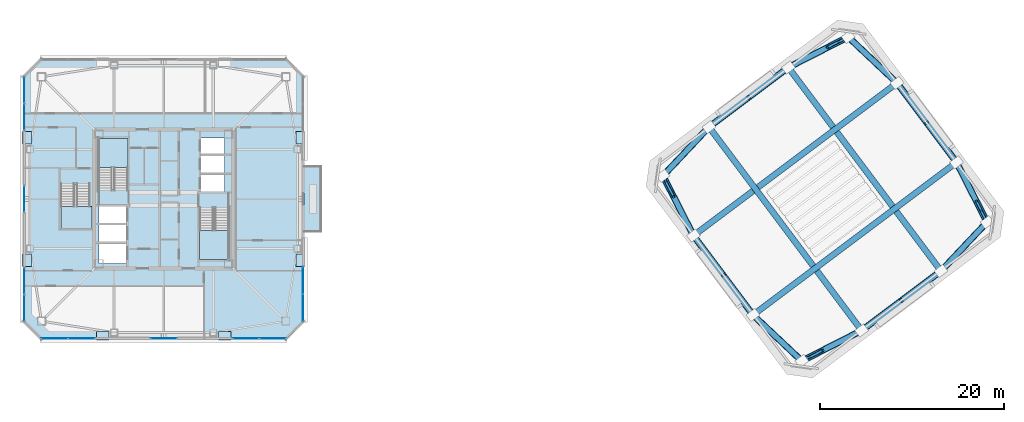
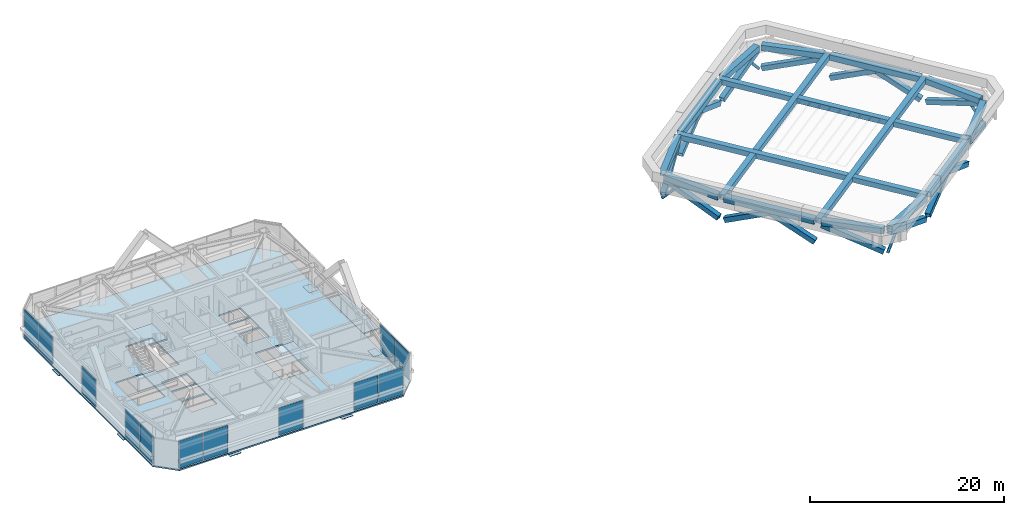
# One storey, part 17 of 24: 20 members, 18 plates, 16 beams, 5 slabs, 10 elements without a shape of their own.
"""IFC4 building model written with IfcOpenShell, lengths in metres."""

import ifcopenshell
import ifcopenshell.guid

model = None  # the IFC model being written
_history = None  # IfcOwnerHistory: only IFC2X3 demands one
_inside = {}  # id of a spatial element -> (the spatial element, [elements in it])
_under = {}  # id of a project, library or spatial element -> (it, [spatial elements below it])
_declared = {}  # id of a project -> (the project, [libraries it declares])
_typed = {}  # id of a type object -> (the type object, [elements of that type])
_made_of = {}  # id of a material, layer set ... -> (it, [elements and type objects made of it])


def new_model(schema):
    """Start an empty IFC model of exactly this schema.

    Asked for "IFC4X3", IfcOpenShell would pick the latest addendum, in which some entities
    have other attributes; the version numbers below select the first issue.
    IFC2X3 requires an IfcOwnerHistory on every rooted entity: one is made here for all.
    """
    global model, _history
    if schema == "IFC4X3":
        model = ifcopenshell.file(schema_version=(4, 3, 0, 0))
    else:
        model = ifcopenshell.file(schema=schema)
    _inside.clear()
    _under.clear()
    _declared.clear()
    _typed.clear()
    _made_of.clear()
    _history = None
    if model.schema == "IFC2X3":
        org = make("IfcOrganization", Name="unknown")
        user = make(
            "IfcPersonAndOrganization",
            ThePerson=make("IfcPerson", FamilyName="unknown"),
            TheOrganization=org,
        )
        app = make(
            "IfcApplication",
            ApplicationDeveloper=org,
            Version="unknown",
            ApplicationFullName="unknown",
            ApplicationIdentifier="unknown",
        )
        _history = make(
            "IfcOwnerHistory",
            OwningUser=user,
            OwningApplication=app,
            ChangeAction="ADDED",
            CreationDate=0,
        )
    return model


def make(cls, **values):
    """One entity of the class cls with the attributes given. An attribute that is None is left unset."""
    return model.create_entity(
        cls, **{name: value for name, value in values.items() if value is not None}
    )


def rooted(cls, **values):
    """An entity with a GlobalId (a new one), such as an element, a storey or a relation."""
    return make(cls, GlobalId=ifcopenshell.guid.new(), OwnerHistory=_history, **values)


def si_unit(unit_type, name, prefix=None):
    """IfcSIUnit, for example si_unit("LENGTHUNIT", "METRE", prefix="MILLI")."""
    return make("IfcSIUnit", UnitType=unit_type, Prefix=prefix, Name=name)


def assignment(units):
    """IfcUnitAssignment: the units of a project."""
    return None if units is None else make("IfcUnitAssignment", Units=units)


def point(xyz):
    """IfcCartesianPoint."""
    return None if xyz is None else make("IfcCartesianPoint", Coordinates=xyz)


def direction(xyz):
    """IfcDirection."""
    return None if xyz is None else make("IfcDirection", DirectionRatios=xyz)


def frame(location, z_axis=None, x_axis=None):
    """IfcAxis2Placement3D, a coordinate frame: its origin and axes. An axis left out is left unset."""
    return make(
        "IfcAxis2Placement3D",
        Location=point(location),
        Axis=direction(z_axis),
        RefDirection=direction(x_axis),
    )


def frame_2d(location, x_axis=None):
    """IfcAxis2Placement2D, a coordinate frame in the plane: its origin and x axis."""
    return make(
        "IfcAxis2Placement2D", Location=point(location), RefDirection=direction(x_axis)
    )


def origin():
    """The frame at (0, 0, 0) with its axes left unset."""
    return frame((0.0, 0.0, 0.0))


def origin_2d():
    """The frame at (0, 0) in the plane with its x axis left unset."""
    return frame_2d((0.0, 0.0))


def place(relative_to, where):
    """IfcLocalPlacement: puts the frame where relative to a parent placement (None: the world)."""
    return make(
        "IfcLocalPlacement", PlacementRelTo=relative_to, RelativePlacement=where
    )


def context(
    kind, dimensions, precision=None, world=None, true_north=None, identifier=None
):
    """IfcGeometricRepresentationContext, for example the 3D "Model" context."""
    return make(
        "IfcGeometricRepresentationContext",
        ContextIdentifier=identifier,
        ContextType=kind,
        CoordinateSpaceDimension=dimensions,
        Precision=precision,
        WorldCoordinateSystem=world,
        TrueNorth=true_north,
    )


def subcontext(parent, identifier, kind, view, scale=None):
    """IfcGeometricRepresentationSubContext, for example "Body" below "Model"."""
    return make(
        "IfcGeometricRepresentationSubContext",
        ContextIdentifier=identifier,
        ContextType=kind,
        ParentContext=parent,
        TargetScale=scale,
        TargetView=view,
    )


def project(units=None, contexts=None):
    """IfcProject with its units and contexts."""
    return rooted(
        "IfcProject",
        Name="project",
        RepresentationContexts=contexts,
        UnitsInContext=assignment(units),
    )


def spatial(cls, under=None, at=None, **own):
    """A site, building, storey or space (cls), placed at a placement, below another one or the project."""
    s = rooted(cls, ObjectPlacement=at, **own)
    if under is not None:
        _under.setdefault(under.id(), (under, []))[1].append(s)
    return s


def polyline(points):
    """IfcPolyline through the points."""
    return make("IfcPolyline", Points=[point(p) for p in points])


def profile(cls, at=None, kind="AREA", **sizes):
    """A parametric profile (cls). Its sizes go by their IFC names, for example OverallWidth=200.0."""
    return make(cls, ProfileType=kind, Position=at, **sizes)


def rectangle(**sizes):
    """IfcRectangleProfileDef."""
    return profile("IfcRectangleProfileDef", **sizes)


def hollow_rectangle(**sizes):
    """IfcRectangleHollowProfileDef."""
    return profile("IfcRectangleHollowProfileDef", **sizes)


def hollow_circle(**sizes):
    """IfcCircleHollowProfileDef."""
    return profile("IfcCircleHollowProfileDef", **sizes)


def outline(outer, holes=None, kind="AREA"):
    """IfcArbitraryClosedProfileDef: a profile drawn as a closed curve; with holes, ...WithVoids."""
    if holes is None:
        return make("IfcArbitraryClosedProfileDef", ProfileType=kind, OuterCurve=outer)
    return make(
        "IfcArbitraryProfileDefWithVoids",
        ProfileType=kind,
        OuterCurve=outer,
        InnerCurves=holes,
    )


def extrude(swept, where, along, depth):
    """IfcExtrudedAreaSolid: the profile swept, set in the frame where, extruded along a direction by depth."""
    return make(
        "IfcExtrudedAreaSolid",
        SweptArea=swept,
        Position=where,
        ExtrudedDirection=direction(along),
        Depth=depth,
    )


def shape(context_of_items, identifier, shape_type, items):
    """IfcShapeRepresentation: the items that make up one representation, for example the "Body"."""
    return make(
        "IfcShapeRepresentation",
        ContextOfItems=context_of_items,
        RepresentationIdentifier=identifier,
        RepresentationType=shape_type,
        Items=items,
    )


def material(Name=None, Category=None):
    """IfcMaterial."""
    return make("IfcMaterial", Name=Name, Category=Category)


def layer(
    of_material, thickness, ventilated=None, Name=None, Category=None, Priority=None
):
    """IfcMaterialLayer: one layer of a wall or slab, of a material (None: an air gap)."""
    return make(
        "IfcMaterialLayer",
        Material=of_material,
        LayerThickness=thickness,
        IsVentilated=ventilated,
        Name=Name,
        Category=Category,
        Priority=Priority,
    )


def layer_set(layers, Name=None):
    """IfcMaterialLayerSet."""
    return make("IfcMaterialLayerSet", MaterialLayers=layers, LayerSetName=Name)


def material_profile(
    of_material, cross_section, Name=None, Category=None, Priority=None
):
    """IfcMaterialProfile: a cross section and its material."""
    return make(
        "IfcMaterialProfile",
        Name=Name,
        Material=of_material,
        Profile=cross_section,
        Priority=Priority,
        Category=Category,
    )


def profile_set(profiles, Name=None, composite=None):
    """IfcMaterialProfileSet."""
    return make(
        "IfcMaterialProfileSet",
        Name=Name,
        MaterialProfiles=profiles,
        CompositeProfile=composite,
    )


def made_of(thing, what):
    """Note that an element or type object is made of a material, layer set ...; save() writes the relation."""
    if what is not None:
        _made_of.setdefault(what.id(), (what, []))[1].append(thing)
    return thing


def type_object(cls, material=None, **own):
    """A type object (cls), such as IfcWallType, which elements share."""
    return made_of(rooted(cls, **own), material)


def element(
    cls,
    number,
    at=None,
    inside=None,
    cuts=None,
    type_object=None,
    material=None,
    context=None,
    identifier="Body",
    shape_type=None,
    held_by="IfcProductDefinitionShape",
    body=None,
    shapes=None,
    **own,
):
    """One element of the class cls, such as IfcWall. Its Tag is "e" and its number.

    at: its placement. inside: the storey or other place that contains it. cuts: it is an
    opening in that element (IfcRelVoidsElement). A single representation is given by context,
    identifier, shape_type and body (its items); several are given by shapes. held_by: the class
    of the entity that holds the representations. save() writes the other relations.
    """
    e = rooted(cls, Tag="e%d" % number, ObjectPlacement=at, **own)
    if body is not None:
        shapes = [shape(context, identifier, shape_type, body)]
    if shapes is not None:
        e.Representation = make(held_by, Representations=shapes)
    if inside is not None:
        _inside.setdefault(inside.id(), (inside, []))[1].append(e)
    if cuts is not None:
        rooted(
            "IfcRelVoidsElement", RelatingBuildingElement=cuts, RelatedOpeningElement=e
        )
    if type_object is not None:
        _typed.setdefault(type_object.id(), (type_object, []))[1].append(e)
    return made_of(e, material)


def aggregate(whole, parts):
    """IfcRelAggregates: a whole, such as a stair, and the parts it consists of."""
    return rooted("IfcRelAggregates", RelatingObject=whole, RelatedObjects=parts)


def save(model, path):
    """Write the relations noted so far, then the file.

    IfcRelAggregates (storeys below a building ...), IfcRelContainedInSpatialStructure (elements
    in a storey), IfcRelDefinesByType, IfcRelAssociatesMaterial and IfcRelDeclares: one each for
    every whole, place, type object, material and project.
    """
    for whole, parts in _under.values():
        aggregate(whole, parts)
    for where, things in _inside.values():
        rooted(
            "IfcRelContainedInSpatialStructure",
            RelatedElements=things,
            RelatingStructure=where,
        )
    for kind, things in _typed.values():
        rooted("IfcRelDefinesByType", RelatedObjects=things, RelatingType=kind)
    for what, things in _made_of.values():
        rooted("IfcRelAssociatesMaterial", RelatedObjects=things, RelatingMaterial=what)
    for by, libraries in _declared.values():
        rooted("IfcRelDeclares", RelatingContext=by, RelatedDefinitions=libraries)
    model.write(path)


model = new_model("IFC4")

# Units and contexts
model_context = context("Model", 3, precision=1e-05, world=origin(), true_north=direction((0.0, 1.0)))
body_context = subcontext(model_context, "Body", "Model", "MODEL_VIEW")
ifc_project = project(units=[si_unit("LENGTHUNIT", "METRE"), si_unit("AREAUNIT", "SQUARE_METRE"), si_unit("VOLUMEUNIT", "CUBIC_METRE"), si_unit("PLANEANGLEUNIT", "RADIAN"), si_unit("MASSUNIT", "GRAM", prefix="KILO")], contexts=[model_context])

# Site, building, storey
site_placement = place(None, origin())
site = spatial("IfcSite", under=ifc_project, at=site_placement, CompositionType="ELEMENT")
building_placement = place(site_placement, origin())
building = spatial("IfcBuilding", under=site, at=building_placement, Name="Tashvorn Skyway Center", CompositionType="ELEMENT")
storey_placement = place(building_placement, frame((0.0, 0.0, 270.5)))
storey = spatial("IfcBuildingStorey", under=building, at=storey_placement, Name="L73", CompositionType="ELEMENT", Elevation=270.5)

# Beams
ifc_material_1 = material(Name="Steel ASTM A572 Grade 50", Category="steel")
ifc_material_profile_1 = material_profile(ifc_material_1, hollow_rectangle(XDim=0.64990234375, YDim=0.64990234375, WallThickness=0.02490234375, at=origin_2d()), Name="BOX650x650x25")
ifc_profile_set_1 = profile_set([ifc_material_profile_1], Name="Steel ASTM A572 Grade 50")
beam_type_1 = type_object("IfcBeamType", Name="BM-BEAM-BOX650x650x25", PredefinedType="BEAM", material=ifc_profile_set_1)
for number, where, z_axis, x_axis, name in (
    (1, (117.989990234375, 17.679931640625, 2.5), (-0.599994359201, 0.800004230568, 0.0), (-0.800004230568, -0.599994359201, 0.0), "CROWN FRAME Tower 2 Cap Support Girder NS1"),
    (2, (126.6298828125, 24.159912109375, 2.5), (-0.599994359201, 0.800004230568, 0.0), (-0.800004230568, -0.599994359201, 0.0), "CROWN FRAME Tower 2 Cap Support Girder NS2"),
    (3, (106.159912109375, 19.3701171875, 2.5), (0.800004230568, 0.599994359201, 0.0), (-0.599994359201, 0.800004230568, 0.0), "CROWN FRAME Tower 2 Cap Support Girder EW1"),
    (4, (99.679931640625, 28.010009765625, 2.5), (0.800004230568, 0.599994359201, 0.0), (-0.599994359201, 0.800004230568, 0.0), "CROWN FRAME Tower 2 Cap Support Girder EW2"),
):
    element("IfcBeam", number, at=place(storey_placement, frame(where, z_axis=z_axis, x_axis=x_axis)), inside=storey, type_object=beam_type_1, Name=name, PredefinedType="BEAM", context=body_context, shape_type="SweptSolid", body=[
        extrude(hollow_rectangle(XDim=0.64990234375, YDim=0.64990234375, WallThickness=0.02490234375, at=origin_2d()), origin(), (0.0, 0.0, 1.0), 27.699951171875),
    ])
ifc_material_profile_2 = material_profile(ifc_material_1, hollow_rectangle(XDim=0.699951171875, YDim=0.699951171875, WallThickness=0.028076171875, at=origin_2d()), Name="BOX700x700x28")
ifc_profile_set_2 = profile_set([ifc_material_profile_2], Name="Steel ASTM A572 Grade 50")
beam_type_2 = type_object("IfcBeamType", Name="BM-BEAM-BOX700x700x28", PredefinedType="BEAM", material=ifc_profile_set_2)
beam_1_placement = place(storey_placement, frame((111.787353515625, 14.516845703125, 2.5), z_axis=(0.890849939668, 0.454297683235, 0.0), x_axis=(-0.454297683235, 0.890849939668, 0.0)))
element("IfcBeam", 5, at=beam_1_placement, inside=storey, type_object=beam_type_2, Name="CROWN FRAME Tower 2 Top Cap Ring Beam 01", PredefinedType="BEAM", context=body_context, shape_type="SweptSolid", body=[
    extrude(hollow_rectangle(XDim=0.699951171875, YDim=0.699951171875, WallThickness=0.028076171875, at=origin_2d()), origin(), (0.0, 0.0, 1.0), 6.61767578125),
])
beam_2_placement = place(storey_placement, frame((118.26611328125, 17.886962890625, 2.5), z_axis=(0.8, 0.6, 0.0), x_axis=(-0.6, 0.8, 0.0)))
element("IfcBeam", 6, at=beam_2_placement, inside=storey, type_object=beam_type_2, Name="CROWN FRAME Tower 2 Top Cap Ring Beam 02", PredefinedType="BEAM", context=body_context, shape_type="SweptSolid", body=[
    extrude(hollow_rectangle(XDim=0.699951171875, YDim=0.699951171875, WallThickness=0.028076171875, at=origin_2d()), origin(), (0.0, 0.0, 1.0), 10.10986328125),
])
for number, where, z_axis, x_axis, name in (
    (7, (126.866455078125, 24.4111328125, 2.5), (0.685594814649, 0.727983344677, 0.0), (-0.727983344677, 0.685594814649, 0.0), "CROWN FRAME Tower 2 Top Cap Ring Beam 03"),
    (8, (131.483154296875, 29.787353515625, 2.5), (-0.454297683235, 0.890849939668, 0.0), (-0.890849939668, -0.454297683235, 0.0), "CROWN FRAME Tower 2 Top Cap Ring Beam 04"),
):
    element("IfcBeam", number, at=place(storey_placement, frame(where, z_axis=z_axis, x_axis=x_axis)), inside=storey, type_object=beam_type_2, Name=name, PredefinedType="BEAM", context=body_context, shape_type="SweptSolid", body=[
        extrude(hollow_rectangle(XDim=0.699951171875, YDim=0.699951171875, WallThickness=0.028076171875, at=origin_2d()), origin(), (0.0, 0.0, 1.0), 6.61767578125),
    ])
beam_3_placement = place(storey_placement, frame((128.113037109375, 36.26611328125, 2.5), z_axis=(-0.6, 0.8, 0.0), x_axis=(-0.8, -0.6, 0.0)))
element("IfcBeam", 9, at=beam_3_placement, inside=storey, type_object=beam_type_2, Name="CROWN FRAME Tower 2 Top Cap Ring Beam 05", PredefinedType="BEAM", context=body_context, shape_type="SweptSolid", body=[
    extrude(hollow_rectangle(XDim=0.699951171875, YDim=0.699951171875, WallThickness=0.028076171875, at=origin_2d()), origin(), (0.0, 0.0, 1.0), 10.10986328125),
])
for number, where, z_axis, x_axis, name in (
    (10, (121.5888671875, 44.866455078125, 2.5), (-0.727983344677, 0.685594814649, 0.0), (-0.685594814649, -0.727983344677, 0.0), "CROWN FRAME Tower 2 Top Cap Ring Beam 06"),
    (11, (116.212646484375, 49.483154296875, 2.5), (-0.890849939668, -0.454297683235, 0.0), (0.454297683235, -0.890849939668, 0.0), "CROWN FRAME Tower 2 Top Cap Ring Beam 07"),
):
    element("IfcBeam", number, at=place(storey_placement, frame(where, z_axis=z_axis, x_axis=x_axis)), inside=storey, type_object=beam_type_2, Name=name, PredefinedType="BEAM", context=body_context, shape_type="SweptSolid", body=[
        extrude(hollow_rectangle(XDim=0.699951171875, YDim=0.699951171875, WallThickness=0.028076171875, at=origin_2d()), origin(), (0.0, 0.0, 1.0), 6.61767578125),
    ])
beam_4_placement = place(storey_placement, frame((109.73388671875, 46.113037109375, 2.5), z_axis=(-0.8, -0.6, 0.0), x_axis=(0.6, -0.8, 0.0)))
element("IfcBeam", 12, at=beam_4_placement, inside=storey, type_object=beam_type_2, Name="CROWN FRAME Tower 2 Top Cap Ring Beam 08", PredefinedType="BEAM", context=body_context, shape_type="SweptSolid", body=[
    extrude(hollow_rectangle(XDim=0.699951171875, YDim=0.699951171875, WallThickness=0.028076171875, at=origin_2d()), origin(), (0.0, 0.0, 1.0), 10.10986328125),
])
for number, where, z_axis, x_axis, name in (
    (13, (101.133544921875, 39.5888671875, 2.5), (-0.685594814649, -0.727983344677, 0.0), (0.727983344677, -0.685594814649, 0.0), "CROWN FRAME Tower 2 Top Cap Ring Beam 09"),
    (14, (96.516845703125, 34.212646484375, 2.5), (0.454297683235, -0.890849939668, 0.0), (0.890849939668, 0.454297683235, 0.0), "CROWN FRAME Tower 2 Top Cap Ring Beam 10"),
):
    element("IfcBeam", number, at=place(storey_placement, frame(where, z_axis=z_axis, x_axis=x_axis)), inside=storey, type_object=beam_type_2, Name=name, PredefinedType="BEAM", context=body_context, shape_type="SweptSolid", body=[
        extrude(hollow_rectangle(XDim=0.699951171875, YDim=0.699951171875, WallThickness=0.028076171875, at=origin_2d()), origin(), (0.0, 0.0, 1.0), 6.61767578125),
    ])
beam_5_placement = place(storey_placement, frame((99.886962890625, 27.73388671875, 2.5), z_axis=(0.6, -0.8, 0.0), x_axis=(0.8, 0.6, 0.0)))
element("IfcBeam", 15, at=beam_5_placement, inside=storey, type_object=beam_type_2, Name="CROWN FRAME Tower 2 Top Cap Ring Beam 11", PredefinedType="BEAM", context=body_context, shape_type="SweptSolid", body=[
    extrude(hollow_rectangle(XDim=0.699951171875, YDim=0.699951171875, WallThickness=0.028076171875, at=origin_2d()), origin(), (0.0, 0.0, 1.0), 10.10986328125),
])
beam_6_placement = place(storey_placement, frame((106.4111328125, 19.133544921875, 2.5), z_axis=(0.727983344677, -0.685594814649, 0.0), x_axis=(0.685594814649, 0.727983344677, 0.0)))
element("IfcBeam", 16, at=beam_6_placement, inside=storey, type_object=beam_type_2, Name="CROWN FRAME Tower 2 Top Cap Ring Beam 12", PredefinedType="BEAM", context=body_context, shape_type="SweptSolid", body=[
    extrude(hollow_rectangle(XDim=0.699951171875, YDim=0.699951171875, WallThickness=0.028076171875, at=origin_2d()), origin(), (0.0, 0.0, 1.0), 6.61767578125),
])

# Members
ifc_material_profile_3 = material_profile(ifc_material_1, hollow_rectangle(XDim=0.60009765625, YDim=0.60009765625, WallThickness=0.02490234375, at=origin_2d()), Name="BOX600x600x25")
ifc_profile_set_3 = profile_set([ifc_material_profile_3], Name="Steel ASTM A572 Grade 50")
member_type_1 = type_object("IfcMemberType", Name="MEM-CF-BRC-600", PredefinedType="BRACE", material=ifc_profile_set_3)
member_1_placement = place(storey_placement, frame((117.6826171875, 17.523193359375, -0.146728515625), z_axis=(-0.841212391559, -0.428984527671, 0.329141287756), x_axis=(0.454297683235, -0.890849939668, 0.0)))
element("IfcMember", 17, at=member_1_placement, inside=storey, type_object=member_type_1, Name="CROWN FRAME Tower 2 Upper Portal Brace 01", PredefinedType="BRACE", context=body_context, shape_type="SweptSolid", body=[
    extrude(hollow_rectangle(XDim=0.60009765625, YDim=0.60009765625, WallThickness=0.02490234375, at=origin_2d()), origin(), (0.0, 0.0, 1.0), 7.008056640625),
])
for number, where, z_axis, x_axis, name in (
    (18, (118.26611328125, 17.886962890625, -0.146728515625), (0.727807264093, 0.54585544807, 0.41513662347), (-0.6, 0.8, 0.0), "CROWN FRAME Tower 2 Tier-3 Chevron Brace 02A"),
    (19, (126.35400390625, 23.952880859375, -0.146728515625), (-0.727807264093, -0.54585544807, 0.41513662347), (0.6, -0.8, 0.0), "CROWN FRAME Tower 2 Tier-3 Chevron Brace 02B"),
):
    element("IfcMember", number, at=place(storey_placement, frame(where, z_axis=z_axis, x_axis=x_axis)), inside=storey, type_object=member_type_1, Name=name, PredefinedType="BRACE", context=body_context, shape_type="SweptSolid", body=[
        extrude(hollow_rectangle(XDim=0.60009765625, YDim=0.60009765625, WallThickness=0.02490234375, at=origin_2d()), origin(), (0.0, 0.0, 1.0), 5.556396484375),
    ])
member_2_placement = place(storey_placement, frame((131.403564453125, 29.228759765625, -0.146728515625), z_axis=(-0.647396048098, -0.687422848532, 0.32913247215), x_axis=(0.727983344677, -0.685594814649, 0.0)))
element("IfcMember", 20, at=member_2_placement, inside=storey, type_object=member_type_1, Name="CROWN FRAME Tower 2 Upper Portal Brace 03", PredefinedType="BRACE", context=body_context, shape_type="SweptSolid", body=[
    extrude(hollow_rectangle(XDim=0.60009765625, YDim=0.60009765625, WallThickness=0.02490234375, at=origin_2d()), origin(), (0.0, 0.0, 1.0), 7.00830078125),
])
member_3_placement = place(storey_placement, frame((128.476806640625, 35.6826171875, -0.146728515625), z_axis=(0.428984527671, -0.841212391559, 0.329141287756), x_axis=(0.890849939668, 0.454297683235, 0.0)))
element("IfcMember", 21, at=member_3_placement, inside=storey, type_object=member_type_1, Name="CROWN FRAME Tower 2 Upper Portal Brace 04", PredefinedType="BRACE", context=body_context, shape_type="SweptSolid", body=[
    extrude(hollow_rectangle(XDim=0.60009765625, YDim=0.60009765625, WallThickness=0.02490234375, at=origin_2d()), origin(), (0.0, 0.0, 1.0), 7.008056640625),
])
for number, where, z_axis, x_axis, name in (
    (22, (128.113037109375, 36.26611328125, -0.146728515625), (-0.54585544807, 0.727807264093, 0.41513662347), (-0.8, -0.6, 0.0), "CROWN FRAME Tower 2 Tier-3 Chevron Brace 05A"),
    (23, (122.047119140625, 44.35400390625, -0.146728515625), (0.54585544807, -0.727807264093, 0.41513662347), (0.8, 0.6, 0.0), "CROWN FRAME Tower 2 Tier-3 Chevron Brace 05B"),
):
    element("IfcMember", number, at=place(storey_placement, frame(where, z_axis=z_axis, x_axis=x_axis)), inside=storey, type_object=member_type_1, Name=name, PredefinedType="BRACE", context=body_context, shape_type="SweptSolid", body=[
        extrude(hollow_rectangle(XDim=0.60009765625, YDim=0.60009765625, WallThickness=0.02490234375, at=origin_2d()), origin(), (0.0, 0.0, 1.0), 5.556396484375),
    ])
member_4_placement = place(storey_placement, frame((116.771240234375, 49.403564453125, -0.146728515625), z_axis=(0.687422848532, -0.647396048098, 0.32913247215), x_axis=(0.685594814649, 0.727983344677, 0.0)))
element("IfcMember", 24, at=member_4_placement, inside=storey, type_object=member_type_1, Name="CROWN FRAME Tower 2 Upper Portal Brace 06", PredefinedType="BRACE", context=body_context, shape_type="SweptSolid", body=[
    extrude(hollow_rectangle(XDim=0.60009765625, YDim=0.60009765625, WallThickness=0.02490234375, at=origin_2d()), origin(), (0.0, 0.0, 1.0), 7.00830078125),
])
member_5_placement = place(storey_placement, frame((110.3173828125, 46.476806640625, -0.146728515625), z_axis=(0.841212391559, 0.428984527671, 0.329141287756), x_axis=(-0.454297683235, 0.890849939668, 0.0)))
element("IfcMember", 25, at=member_5_placement, inside=storey, type_object=member_type_1, Name="CROWN FRAME Tower 2 Upper Portal Brace 07", PredefinedType="BRACE", context=body_context, shape_type="SweptSolid", body=[
    extrude(hollow_rectangle(XDim=0.60009765625, YDim=0.60009765625, WallThickness=0.02490234375, at=origin_2d()), origin(), (0.0, 0.0, 1.0), 7.008056640625),
])
for number, where, z_axis, x_axis, name in (
    (26, (109.73388671875, 46.113037109375, -0.146728515625), (-0.727807264093, -0.54585544807, 0.41513662347), (0.6, -0.8, 0.0), "CROWN FRAME Tower 2 Tier-3 Chevron Brace 08A"),
    (27, (101.64599609375, 40.047119140625, -0.146728515625), (0.727807264093, 0.54585544807, 0.41513662347), (-0.6, 0.8, 0.0), "CROWN FRAME Tower 2 Tier-3 Chevron Brace 08B"),
):
    element("IfcMember", number, at=place(storey_placement, frame(where, z_axis=z_axis, x_axis=x_axis)), inside=storey, type_object=member_type_1, Name=name, PredefinedType="BRACE", context=body_context, shape_type="SweptSolid", body=[
        extrude(hollow_rectangle(XDim=0.60009765625, YDim=0.60009765625, WallThickness=0.02490234375, at=origin_2d()), origin(), (0.0, 0.0, 1.0), 5.556396484375),
    ])
member_6_placement = place(storey_placement, frame((96.596435546875, 34.771240234375, -0.146728515625), z_axis=(0.647396048098, 0.687422848532, 0.32913247215), x_axis=(-0.727983344677, 0.685594814649, 0.0)))
element("IfcMember", 28, at=member_6_placement, inside=storey, type_object=member_type_1, Name="CROWN FRAME Tower 2 Upper Portal Brace 09", PredefinedType="BRACE", context=body_context, shape_type="SweptSolid", body=[
    extrude(hollow_rectangle(XDim=0.60009765625, YDim=0.60009765625, WallThickness=0.02490234375, at=origin_2d()), origin(), (0.0, 0.0, 1.0), 7.00830078125),
])
member_7_placement = place(storey_placement, frame((99.523193359375, 28.3173828125, -0.146728515625), z_axis=(-0.428984527671, 0.841212391559, 0.329141287756), x_axis=(-0.890849939668, -0.454297683235, 0.0)))
element("IfcMember", 29, at=member_7_placement, inside=storey, type_object=member_type_1, Name="CROWN FRAME Tower 2 Upper Portal Brace 10", PredefinedType="BRACE", context=body_context, shape_type="SweptSolid", body=[
    extrude(hollow_rectangle(XDim=0.60009765625, YDim=0.60009765625, WallThickness=0.02490234375, at=origin_2d()), origin(), (0.0, 0.0, 1.0), 7.008056640625),
])
for number, where, z_axis, x_axis, name in (
    (30, (99.886962890625, 27.73388671875, -0.146728515625), (0.54585544807, -0.727807264093, 0.41513662347), (0.8, 0.6, 0.0), "CROWN FRAME Tower 2 Tier-3 Chevron Brace 11A"),
    (31, (105.952880859375, 19.64599609375, -0.146728515625), (-0.54585544807, 0.727807264093, 0.41513662347), (-0.8, -0.6, 0.0), "CROWN FRAME Tower 2 Tier-3 Chevron Brace 11B"),
):
    element("IfcMember", number, at=place(storey_placement, frame(where, z_axis=z_axis, x_axis=x_axis)), inside=storey, type_object=member_type_1, Name=name, PredefinedType="BRACE", context=body_context, shape_type="SweptSolid", body=[
        extrude(hollow_rectangle(XDim=0.60009765625, YDim=0.60009765625, WallThickness=0.02490234375, at=origin_2d()), origin(), (0.0, 0.0, 1.0), 5.556396484375),
    ])
member_8_placement = place(storey_placement, frame((111.228759765625, 14.596435546875, -0.146728515625), z_axis=(-0.687422848532, 0.647396048098, 0.32913247215), x_axis=(-0.685594814649, -0.727983344677, 0.0)))
element("IfcMember", 32, at=member_8_placement, inside=storey, type_object=member_type_1, Name="CROWN FRAME Tower 2 Upper Portal Brace 12", PredefinedType="BRACE", context=body_context, shape_type="SweptSolid", body=[
    extrude(hollow_rectangle(XDim=0.60009765625, YDim=0.60009765625, WallThickness=0.02490234375, at=origin_2d()), origin(), (0.0, 0.0, 1.0), 7.00830078125),
])
ifc_material_profile_4 = material_profile(ifc_material_1, hollow_circle(Radius=0.162109375, WallThickness=0.01611328125, at=origin_2d()), Name="CHS324x16")
ifc_profile_set_4 = profile_set([ifc_material_profile_4], Name="Steel ASTM A572 Grade 50")
member_type_2 = type_object("IfcMemberType", Name="MEM-ST-324", PredefinedType="STRUT", material=ifc_profile_set_4)
for number, where, z_axis, x_axis, name in (
    (33, (111.47998046875, 14.360107421875, -0.35009765625), (0.59500772254, 0.303401023419, 0.744253739733), (-0.454263208555, 0.89086751953, 0.0), "CROWN FRAME Tower 2 Corner Knee-Strut 1"),
    (34, (131.639892578125, 29.47998046875, -0.35009765625), (-0.303401023419, 0.59500772254, 0.744253739733), (-0.89086751953, -0.454263208555, 0.0), "CROWN FRAME Tower 2 Corner Knee-Strut 2"),
    (35, (116.52001953125, 49.639892578125, -0.35009765625), (-0.59500772254, -0.303401023419, 0.744253739733), (0.454263208555, -0.89086751953, 0.0), "CROWN FRAME Tower 2 Corner Knee-Strut 3"),
    (36, (96.360107421875, 34.52001953125, -0.35009765625), (0.303401023419, -0.59500772254, 0.744253739733), (0.89086751953, 0.454263208555, 0.0), "CROWN FRAME Tower 2 Corner Knee-Strut 4"),
):
    element("IfcMember", number, at=place(storey_placement, frame(where, z_axis=z_axis, x_axis=x_axis)), inside=storey, type_object=member_type_2, Name=name, PredefinedType="STRUT", context=body_context, shape_type="SweptSolid", body=[
        extrude(hollow_circle(Radius=0.162109375, WallThickness=0.01611328125, at=origin_2d()), origin(), (0.0, 0.0, 1.0), 3.82958984375),
    ])

# Curtain wall, plates
ifc_material_2 = material(Name="Thermally broken bronze-anodized aluminium 6063-T6", Category="aluminium")
curtain_wall_type = type_object("IfcCurtainWallType", Name="CW-CW-Z5", PredefinedType="NOTDEFINED", material=ifc_material_2)
curtain_wall_1_placement = place(storey_placement, origin())
curtain_wall_1 = element("IfcCurtainWall", 37, at=curtain_wall_1_placement, inside=storey, type_object=curtain_wall_type, Name="Tower 1 L73 South Unitised Curtain Wall Glazing Group 1", PredefinedType="NOTDEFINED")
ifc_material_3 = material(Name="Low-E solar-control double insulating safety glass", Category="glass")
ifc_layer_1 = layer(ifc_material_3, 0.031982421875)
ifc_layer_set_1 = layer_set([ifc_layer_1], Name="Low-E solar-control double insulating safety glass")
plate_type_1 = type_object("IfcPlateType", Name="CWP-CW-Z5", PredefinedType="CURTAIN_PANEL", material=ifc_layer_set_1)
plate_1_placement = place(storey_placement, frame((53.875732421875, 16.820068359375, 0.06982421875), z_axis=(0.0, 0.0, 1.0), x_axis=(-1.0, 0.0, 0.0)))
plate_1 = element("IfcPlate", 38, at=plate_1_placement, type_object=plate_type_1, Name="CW-Z5 panel 1.1", PredefinedType="CURTAIN_PANEL", context=body_context, shape_type="SweptSolid", body=[
    extrude(rectangle(XDim=2.868408203125, YDim=0.031982421875, at=origin_2d()), origin(), (0.0, 0.0, 1.0), 3.409912109375),
])
plate_2_placement = place(storey_placement, frame((50.9375, 16.820068359375, 0.06982421875), z_axis=(0.0, 0.0, 1.0), x_axis=(-1.0, 0.0, 0.0)))
plate_2 = element("IfcPlate", 39, at=plate_2_placement, type_object=plate_type_1, Name="CW-Z5 panel 2.1", PredefinedType="CURTAIN_PANEL", context=body_context, shape_type="SweptSolid", body=[
    extrude(rectangle(XDim=2.868408203125, YDim=0.031982421875, at=origin_2d()), origin(), (0.0, 0.0, 1.0), 3.409912109375),
])
aggregate(curtain_wall_1, [plate_1, plate_2])

# Curtain wall, plate
curtain_wall_2_placement = place(storey_placement, origin())
curtain_wall_2 = element("IfcCurtainWall", 40, at=curtain_wall_2_placement, inside=storey, type_object=curtain_wall_type, Name="Tower 1 L73 South Unitised Curtain Wall Glazing Group 2", PredefinedType="NOTDEFINED")
plate_3_placement = place(storey_placement, frame((42.0, 16.820068359375, 0.06982421875), z_axis=(0.0, 0.0, 1.0), x_axis=(-1.0, 0.0, 0.0)))
plate_3 = element("IfcPlate", 41, at=plate_3_placement, type_object=plate_type_1, Name="CW-Z5 panel 1.1", PredefinedType="CURTAIN_PANEL", context=body_context, shape_type="SweptSolid", body=[
    extrude(rectangle(XDim=2.83349609375, YDim=0.031982421875, at=origin_2d()), origin(), (0.0, 0.0, 1.0), 3.409912109375),
])
aggregate(curtain_wall_2, [plate_3])

# Curtain wall, plates
curtain_wall_3_placement = place(storey_placement, origin())
curtain_wall_3 = element("IfcCurtainWall", 42, at=curtain_wall_3_placement, inside=storey, type_object=curtain_wall_type, Name="Tower 1 L73 South Unitised Curtain Wall Glazing Group 3", PredefinedType="NOTDEFINED")
plate_4_placement = place(storey_placement, frame((33.0625, 16.820068359375, 0.06982421875), z_axis=(0.0, 0.0, 1.0), x_axis=(-1.0, 0.0, 0.0)))
plate_4 = element("IfcPlate", 43, at=plate_4_placement, type_object=plate_type_1, Name="CW-Z5 panel 1.1", PredefinedType="CURTAIN_PANEL", context=body_context, shape_type="SweptSolid", body=[
    extrude(rectangle(XDim=2.868408203125, YDim=0.031982421875, at=origin_2d()), origin(), (0.0, 0.0, 1.0), 3.409912109375),
])
plate_5_placement = place(storey_placement, frame((30.124267578125, 16.820068359375, 0.06982421875), z_axis=(0.0, 0.0, 1.0), x_axis=(-1.0, 0.0, 0.0)))
plate_5 = element("IfcPlate", 44, at=plate_5_placement, type_object=plate_type_1, Name="CW-Z5 panel 2.1", PredefinedType="CURTAIN_PANEL", context=body_context, shape_type="SweptSolid", body=[
    extrude(rectangle(XDim=2.868408203125, YDim=0.031982421875, at=origin_2d()), origin(), (0.0, 0.0, 1.0), 3.409912109375),
])
aggregate(curtain_wall_3, [plate_4, plate_5])

curtain_wall_4_placement = place(storey_placement, origin())
curtain_wall_4 = element("IfcCurtainWall", 45, at=curtain_wall_4_placement, inside=storey, type_object=curtain_wall_type, Name="Tower 1 L73 West Unitised Curtain Wall Glazing Group 1", PredefinedType="NOTDEFINED")
plate_6_placement = place(storey_placement, frame((26.820068359375, 20.124267578125, 0.06982421875), z_axis=(0.0, 0.0, 1.0), x_axis=(0.0, 1.0, 0.0)))
plate_6 = element("IfcPlate", 46, at=plate_6_placement, type_object=plate_type_1, Name="CW-Z5 panel 1.1", PredefinedType="CURTAIN_PANEL", context=body_context, shape_type="SweptSolid", body=[
    extrude(rectangle(XDim=2.868408203125, YDim=0.031982421875, at=origin_2d()), origin(), (0.0, 0.0, 1.0), 3.409912109375),
])
plate_7_placement = place(storey_placement, frame((26.820068359375, 23.0625, 0.06982421875), z_axis=(0.0, 0.0, 1.0), x_axis=(0.0, 1.0, 0.0)))
plate_7 = element("IfcPlate", 47, at=plate_7_placement, type_object=plate_type_1, Name="CW-Z5 panel 2.1", PredefinedType="CURTAIN_PANEL", context=body_context, shape_type="SweptSolid", body=[
    extrude(rectangle(XDim=2.868408203125, YDim=0.031982421875, at=origin_2d()), origin(), (0.0, 0.0, 1.0), 3.409912109375),
])
aggregate(curtain_wall_4, [plate_6, plate_7])

# Curtain wall, plate
curtain_wall_5_placement = place(storey_placement, origin())
curtain_wall_5 = element("IfcCurtainWall", 48, at=curtain_wall_5_placement, inside=storey, type_object=curtain_wall_type, Name="Tower 1 L73 West Unitised Curtain Wall Glazing Group 2", PredefinedType="NOTDEFINED")
plate_8_placement = place(storey_placement, frame((26.820068359375, 32.0, 0.06982421875), z_axis=(0.0, 0.0, 1.0), x_axis=(0.0, 1.0, 0.0)))
plate_8 = element("IfcPlate", 49, at=plate_8_placement, type_object=plate_type_1, Name="CW-Z5 panel 1.1", PredefinedType="CURTAIN_PANEL", context=body_context, shape_type="SweptSolid", body=[
    extrude(rectangle(XDim=2.83349609375, YDim=0.031982421875, at=origin_2d()), origin(), (0.0, 0.0, 1.0), 3.409912109375),
])
aggregate(curtain_wall_5, [plate_8])

# Curtain wall, plates
curtain_wall_6_placement = place(storey_placement, origin())
curtain_wall_6 = element("IfcCurtainWall", 50, at=curtain_wall_6_placement, inside=storey, type_object=curtain_wall_type, Name="Tower 1 L73 West Unitised Curtain Wall Glazing Group 3", PredefinedType="NOTDEFINED")
plate_9_placement = place(storey_placement, frame((26.820068359375, 40.9375, 0.06982421875), z_axis=(0.0, 0.0, 1.0), x_axis=(0.0, 1.0, 0.0)))
plate_9 = element("IfcPlate", 51, at=plate_9_placement, type_object=plate_type_1, Name="CW-Z5 panel 1.1", PredefinedType="CURTAIN_PANEL", context=body_context, shape_type="SweptSolid", body=[
    extrude(rectangle(XDim=2.868408203125, YDim=0.031982421875, at=origin_2d()), origin(), (0.0, 0.0, 1.0), 3.409912109375),
])
plate_10_placement = place(storey_placement, frame((26.820068359375, 43.875732421875, 0.06982421875), z_axis=(0.0, 0.0, 1.0), x_axis=(0.0, 1.0, 0.0)))
plate_10 = element("IfcPlate", 52, at=plate_10_placement, type_object=plate_type_1, Name="CW-Z5 panel 2.1", PredefinedType="CURTAIN_PANEL", context=body_context, shape_type="SweptSolid", body=[
    extrude(rectangle(XDim=2.868408203125, YDim=0.031982421875, at=origin_2d()), origin(), (0.0, 0.0, 1.0), 3.409912109375),
])
aggregate(curtain_wall_6, [plate_9, plate_10])

curtain_wall_7_placement = place(storey_placement, origin())
curtain_wall_7 = element("IfcCurtainWall", 53, at=curtain_wall_7_placement, inside=storey, type_object=curtain_wall_type, Name="Tower 1 L73 East Curtain Wall R Glazing Group 1", PredefinedType="NOTDEFINED")
plate_11_placement = place(storey_placement, frame((57.179931640625, 23.16748046875, 0.06982421875), z_axis=(0.0, 0.0, 1.0), x_axis=(0.0, -1.0, 0.0)))
plate_11 = element("IfcPlate", 54, at=plate_11_placement, type_object=plate_type_1, Name="CW-Z5 panel 1.1", PredefinedType="CURTAIN_PANEL", context=body_context, shape_type="SweptSolid", body=[
    extrude(rectangle(XDim=2.938232421875, YDim=0.031982421875, at=origin_2d()), origin(), (0.0, 0.0, 1.0), 3.409912109375),
])
plate_12_placement = place(storey_placement, frame((57.179931640625, 20.1591796875, 0.06982421875), z_axis=(0.0, 0.0, 1.0), x_axis=(0.0, -1.0, 0.0)))
plate_12 = element("IfcPlate", 55, at=plate_12_placement, type_object=plate_type_1, Name="CW-Z5 panel 2.1", PredefinedType="CURTAIN_PANEL", context=body_context, shape_type="SweptSolid", body=[
    extrude(rectangle(XDim=2.938232421875, YDim=0.031982421875, at=origin_2d()), origin(), (0.0, 0.0, 1.0), 3.409912109375),
])
aggregate(curtain_wall_7, [plate_11, plate_12])

# Plates
ifc_layer_2 = layer(ifc_material_1, 0.044921875)
ifc_layer_set_2 = layer_set([ifc_layer_2], Name="Steel ASTM A572 Grade 50")
plate_type_2 = type_object("IfcPlateType", Name="PLT-GUSSET-45", PredefinedType="USERDEFINED", material=ifc_layer_set_2)
for number, where, z_axis, x_axis, name in (
    (56, (35.35009765625, 17.1201171875, -0.472412109375), (0.0, 0.0, 1.0), (1.0, 0.0, 0.0), "Tower 1 Zone 7 S Mid-Chevron Node Gusset L"),
    (57, (48.64990234375, 17.1201171875, -0.472412109375), (0.0, 0.0, 1.0), (1.0, 0.0, 0.0), "Tower 1 Zone 7 S Mid-Chevron Node Gusset R"),
    (58, (56.8798828125, 25.35009765625, -0.472412109375), (0.0, 0.0, 1.0), (0.0, 1.0, 0.0), "Tower 1 Zone 7 E Mid-Chevron Node Gusset L"),
    (59, (56.8798828125, 38.64990234375, -0.472412109375), (0.0, 0.0, 1.0), (0.0, 1.0, 0.0), "Tower 1 Zone 7 E Mid-Chevron Node Gusset R"),
    (60, (27.1201171875, 38.64990234375, -0.472412109375), (0.0, 0.0, 1.0), (0.0, -1.0, 0.0), "Tower 1 Zone 7 W Mid-Chevron Node Gusset L"),
    (61, (27.1201171875, 25.35009765625, -0.472412109375), (0.0, 0.0, 1.0), (0.0, -1.0, 0.0), "Tower 1 Zone 7 W Mid-Chevron Node Gusset R"),
):
    element("IfcPlate", number, at=place(storey_placement, frame(where, z_axis=z_axis, x_axis=x_axis)), inside=storey, type_object=plate_type_2, Name=name, ObjectType="GUSSET PLATE", PredefinedType="USERDEFINED", context=body_context, shape_type="SweptSolid", body=[
        extrude(rectangle(XDim=1.35009765625, YDim=0.949951171875, at=origin_2d()), origin(), (0.0, 0.0, 1.0), 0.044921875),
    ])

# Slab
ifc_material_4 = material(Name="Concrete C40/50", Category="concrete")
ifc_layer_3 = layer(ifc_material_4, 0.179931640625)
ifc_layer_set_3 = layer_set([ifc_layer_3], Name="Concrete C40/50")
slab_type_1 = type_object("IfcSlabType", Name="SLAB-FLR-180", PredefinedType="FLOOR", material=ifc_layer_set_3)
slab_1_placement = place(storey_placement, frame((0.0, 0.0, -0.179931640625)))
element("IfcSlab", 62, at=slab_1_placement, inside=storey, type_object=slab_type_1, Name="Tower 1 L73 Composite Floor Slab", PredefinedType="FLOOR", context=body_context, shape_type="SweptSolid", body=[
    extrude(outline(polyline([(28.699951171875, 16.699951171875), (55.300048828125, 16.699951171875), (57.300048828125, 18.699951171875), (57.300048828125, 45.300048828125), (55.300048828125, 47.300048828125), (28.699951171875, 47.300048828125), (26.699951171875, 45.300048828125), (26.699951171875, 18.699951171875), (28.699951171875, 16.699951171875)]), holes=[polyline([(38.10009765625, 33.080078125), (38.10009765625, 38.60009765625), (34.89990234375, 38.60009765625), (34.89990234375, 33.080078125), (38.10009765625, 33.080078125)]), polyline([(45.89990234375, 30.919921875), (45.89990234375, 25.39990234375), (49.10009765625, 25.39990234375), (49.10009765625, 30.919921875), (45.89990234375, 30.919921875)]), polyline([(30.800048828125, 33.52001953125), (30.800048828125, 28.800048828125), (34.0, 28.800048828125), (34.0, 33.52001953125), (30.800048828125, 33.52001953125)]), polyline([(34.949951171875, 29.35009765625), (37.949951171875, 29.35009765625), (37.949951171875, 31.199951171875), (34.949951171875, 31.199951171875), (34.949951171875, 29.35009765625)]), polyline([(34.949951171875, 27.35009765625), (37.949951171875, 27.35009765625), (37.949951171875, 29.199951171875), (34.949951171875, 29.199951171875), (34.949951171875, 27.35009765625)]), polyline([(34.949951171875, 25.0), (37.949951171875, 25.0), (37.949951171875, 27.14990234375), (34.949951171875, 27.14990234375), (34.949951171875, 25.0)]), polyline([(46.050048828125, 32.800048828125), (48.64990234375, 32.800048828125), (48.64990234375, 34.64990234375), (46.050048828125, 34.64990234375), (46.050048828125, 32.800048828125)]), polyline([(46.050048828125, 34.85009765625), (48.64990234375, 34.85009765625), (48.64990234375, 36.699951171875), (46.050048828125, 36.699951171875), (46.050048828125, 34.85009765625)]), polyline([(46.050048828125, 36.89990234375), (48.64990234375, 36.89990234375), (48.64990234375, 38.64990234375), (46.050048828125, 38.64990234375), (46.050048828125, 36.89990234375)])]), origin(), (0.0, 0.0, 1.0), 0.179931640625),
])

# Stair, slab
stair_type = type_object("IfcStairType", Name="STAIR-CORE-1500", PredefinedType="HALF_TURN_STAIR", material=ifc_material_4)
stair_1_placement = place(storey_placement, origin())
stair_1 = element("IfcStair", 63, at=stair_1_placement, inside=storey, type_object=stair_type, Name="L73 Tower 1 Exit Stair 1", PredefinedType="HALF_TURN_STAIR")
ifc_layer_4 = layer(ifc_material_4, 0.199951171875)
ifc_layer_set_4 = layer_set([ifc_layer_4], Name="Concrete C40/50")
slab_type_2 = type_object("IfcSlabType", Name="SLAB-LAND-200", PredefinedType="LANDING", material=ifc_layer_set_4)
slab_2_placement = place(storey_placement, frame((0.0, 0.0, 1.574951171875)))
slab_2 = element("IfcSlab", 64, at=slab_2_placement, type_object=slab_type_2, Name="ST-T1-1 landing 1", PredefinedType="LANDING", context=body_context, shape_type="SweptSolid", body=[
    extrude(outline(polyline([(38.10009765625, 35.43994140625), (38.10009765625, 38.60009765625), (34.89990234375, 38.60009765625), (34.89990234375, 35.43994140625), (38.10009765625, 35.43994140625)])), origin(), (0.0, 0.0, 1.0), 0.199951171875),
])
aggregate(stair_1, [slab_2])

stair_2_placement = place(storey_placement, origin())
stair_2 = element("IfcStair", 65, at=stair_2_placement, inside=storey, type_object=stair_type, Name="L73 Tower 1 Exit Stair 2", PredefinedType="HALF_TURN_STAIR")
slab_3_placement = place(storey_placement, frame((0.0, 0.0, 1.574951171875)))
slab_3 = element("IfcSlab", 66, at=slab_3_placement, type_object=slab_type_2, Name="ST-T1-2 landing 1", PredefinedType="LANDING", context=body_context, shape_type="SweptSolid", body=[
    extrude(outline(polyline([(45.89990234375, 28.56005859375), (45.89990234375, 25.39990234375), (49.10009765625, 25.39990234375), (49.10009765625, 28.56005859375), (45.89990234375, 28.56005859375)])), origin(), (0.0, 0.0, 1.0), 0.199951171875),
])
aggregate(stair_2, [slab_3])

stair_3_placement = place(storey_placement, origin())
stair_3 = element("IfcStair", 67, at=stair_3_placement, inside=storey, type_object=stair_type, Name="L73 Tower 1 Exit Stair 3", PredefinedType="HALF_TURN_STAIR")
slab_4_placement = place(storey_placement, frame((0.0, 0.0, 1.574951171875)))
slab_4 = element("IfcSlab", 68, at=slab_4_placement, type_object=slab_type_2, Name="ST-T1-3 landing 1", PredefinedType="LANDING", context=body_context, shape_type="SweptSolid", body=[
    extrude(outline(polyline([(30.800048828125, 31.159912109375), (30.800048828125, 28.800048828125), (34.199951171875, 28.800048828125), (34.199951171875, 31.159912109375), (30.800048828125, 31.159912109375)])), origin(), (0.0, 0.0, 1.0), 0.199951171875),
])
aggregate(stair_3, [slab_4])

# Slab
ifc_layer_5 = layer(ifc_material_4, 0.179931640625)
ifc_layer_set_5 = layer_set([ifc_layer_5], Name="Concrete C40/50")
slab_type_3 = type_object("IfcSlabType", Name="SLAB-TERR-200", PredefinedType="FLOOR", material=ifc_layer_set_5)
slab_5_placement = place(storey_placement, frame((0.0, 0.0, -0.179931640625)))
element("IfcSlab", 69, at=slab_5_placement, inside=storey, type_object=slab_type_3, Name="Tower 1 L73 Spiral Planted Terrace Slab", PredefinedType="FLOOR", context=body_context, shape_type="SweptSolid", body=[
    extrude(outline(polyline([(57.2900390625, 28.39990234375), (59.199951171875, 28.39990234375), (59.199951171875, 35.60009765625), (57.2900390625, 35.60009765625), (57.2900390625, 28.39990234375)])), origin(), (0.0, 0.0, 1.0), 0.179931640625),
])

save(model, "model.ifc")
